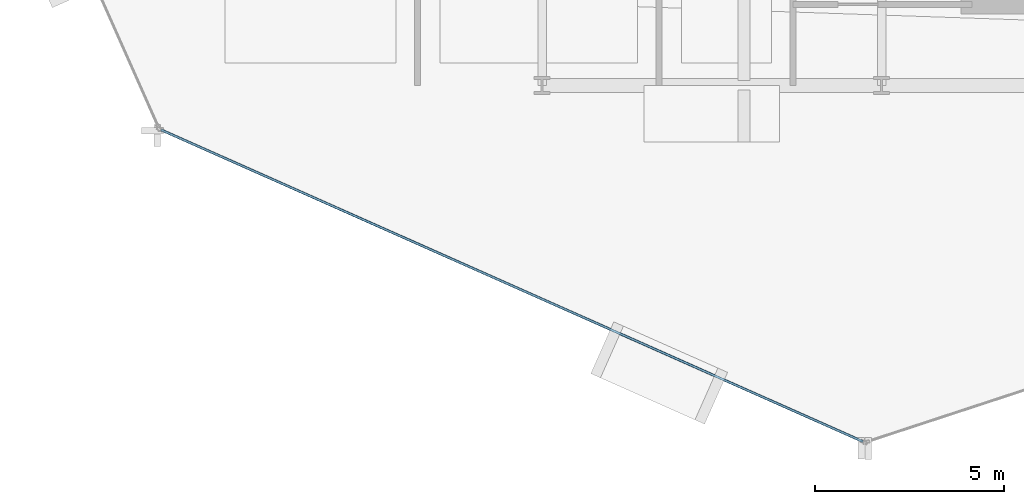
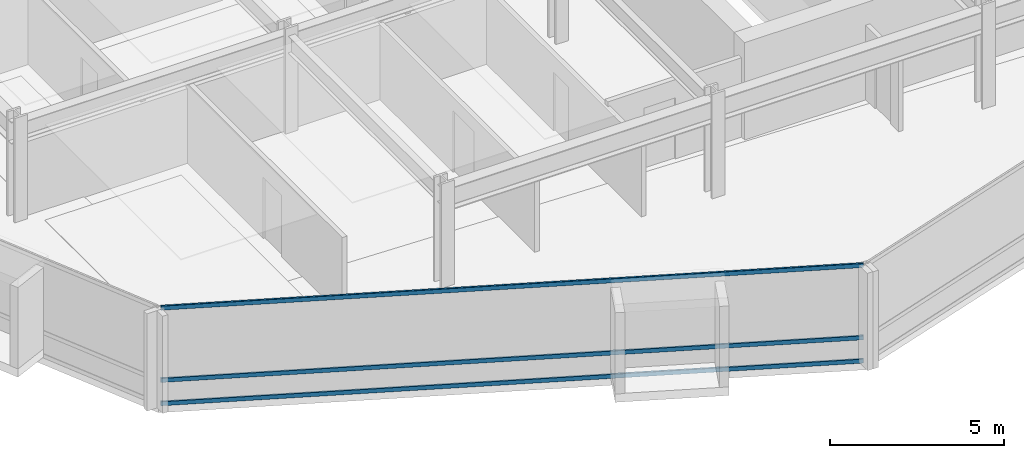
# One storey, part 3 of 34: 3 members, 1 element without a shape of its own.
"""IFC4 building model written with IfcOpenShell, lengths in metres."""

from ifc_helpers import new_model, si_unit, direction, frame, origin, origin_2d, place, context, subcontext, project, spatial, hollow_rectangle, extrude, material, layer, layer_set, material_profile, profile_set, type_object, element, aggregate, save


model = new_model("IFC4")

# Units and contexts
model_context = context("Model", 3, precision=1e-05, world=origin(), true_north=direction((0.0, 1.0)))
body_context = subcontext(model_context, "Body", "Model", "MODEL_VIEW")
ifc_project = project(units=[si_unit("LENGTHUNIT", "METRE"), si_unit("AREAUNIT", "SQUARE_METRE"), si_unit("VOLUMEUNIT", "CUBIC_METRE"), si_unit("PLANEANGLEUNIT", "RADIAN"), si_unit("MASSUNIT", "GRAM", prefix="KILO")], contexts=[model_context])

# Site, building, storey
site_placement = place(None, origin())
site = spatial("IfcSite", under=ifc_project, at=site_placement, CompositionType="ELEMENT")
building_placement = place(site_placement, origin())
building = spatial("IfcBuilding", under=site, at=building_placement, Name="Solvaryn Broadcast Tower", CompositionType="ELEMENT")
storey_placement = place(building_placement, frame((0.0, 0.0, 76.699951171875)))
storey = spatial("IfcBuildingStorey", under=building, at=storey_placement, Name="L18", CompositionType="ELEMENT", Elevation=76.699951171875)

# Curtain wall, members
ifc_material_1 = material(Name="Aluminium and Terracotta Unitised Curtain Wall", Category="masonry")
ifc_layer = layer(ifc_material_1, 0.199951171875)
ifc_layer_set = layer_set([ifc_layer], Name="CW-SYS2-LOWMID")
curtain_wall_type = type_object("IfcCurtainWallType", Name="CW-SYS2-LOWMID", PredefinedType="NOTDEFINED", material=ifc_layer_set)
curtain_wall_placement = place(storey_placement, origin())
curtain_wall = element("IfcCurtainWall", 1, at=curtain_wall_placement, inside=storey, type_object=curtain_wall_type, Name="L18 Curtain Wall DR3", PredefinedType="NOTDEFINED")
ifc_material_2 = material(Name="Anodised Aluminium 6063-T6", Category="aluminium")
ifc_material_profile = material_profile(ifc_material_2, hollow_rectangle(XDim=0.06494140625, YDim=0.14990234375, WallThickness=0.00390625, InnerFilletRadius=0.00390625, OuterFilletRadius=0.008056640625, at=origin_2d()))
ifc_profile_set = profile_set([ifc_material_profile], Name="Anodised Aluminium 6063-T6")
member_type = type_object("IfcMemberType", Name="CW-TRN-150", PredefinedType="USERDEFINED", material=ifc_profile_set)
member_1_placement = place(storey_placement, frame((7.90185546875, 7.82275390625, 0.030029296875), z_axis=(0.913914888191, -0.405905872269, 0.0), x_axis=(0.405905872269, 0.913914888191, 0.0)))
member_1 = element("IfcMember", 2, at=member_1_placement, type_object=member_type, Name="CWS2 transom 1.1", ObjectType="TRANSOM", PredefinedType="USERDEFINED", context=body_context, shape_type="SweptSolid", body=[
    extrude(hollow_rectangle(XDim=0.06494140625, YDim=0.14990234375, WallThickness=0.00390625, InnerFilletRadius=0.00390625, OuterFilletRadius=0.008056640625, at=origin_2d()), origin(), (0.0, 0.0, 1.0), 20.35546875),
])
member_2_placement = place(storey_placement, frame((7.90185546875, 7.82275390625, 0.85009765625), z_axis=(0.913914888191, -0.405905872269, 0.0), x_axis=(0.405905872269, 0.913914888191, 0.0)))
member_2 = element("IfcMember", 3, at=member_2_placement, type_object=member_type, Name="CWS2 transom 1.2", ObjectType="TRANSOM", PredefinedType="USERDEFINED", context=body_context, shape_type="SweptSolid", body=[
    extrude(hollow_rectangle(XDim=0.06494140625, YDim=0.14990234375, WallThickness=0.00390625, InnerFilletRadius=0.00390625, OuterFilletRadius=0.008056640625, at=origin_2d()), origin(), (0.0, 0.0, 1.0), 20.35546875),
])
member_3_placement = place(storey_placement, frame((7.90185546875, 7.82275390625, 3.39013671875), z_axis=(0.913914888191, -0.405905872269, 0.0), x_axis=(0.405905872269, 0.913914888191, 0.0)))
member_3 = element("IfcMember", 4, at=member_3_placement, type_object=member_type, Name="CWS2 transom 1.3", ObjectType="TRANSOM", PredefinedType="USERDEFINED", context=body_context, shape_type="SweptSolid", body=[
    extrude(hollow_rectangle(XDim=0.06494140625, YDim=0.14990234375, WallThickness=0.00390625, InnerFilletRadius=0.00390625, OuterFilletRadius=0.008056640625, at=origin_2d()), origin(), (0.0, 0.0, 1.0), 20.35546875),
])
aggregate(curtain_wall, [member_1, member_2, member_3])

save(model, "model.ifc")
